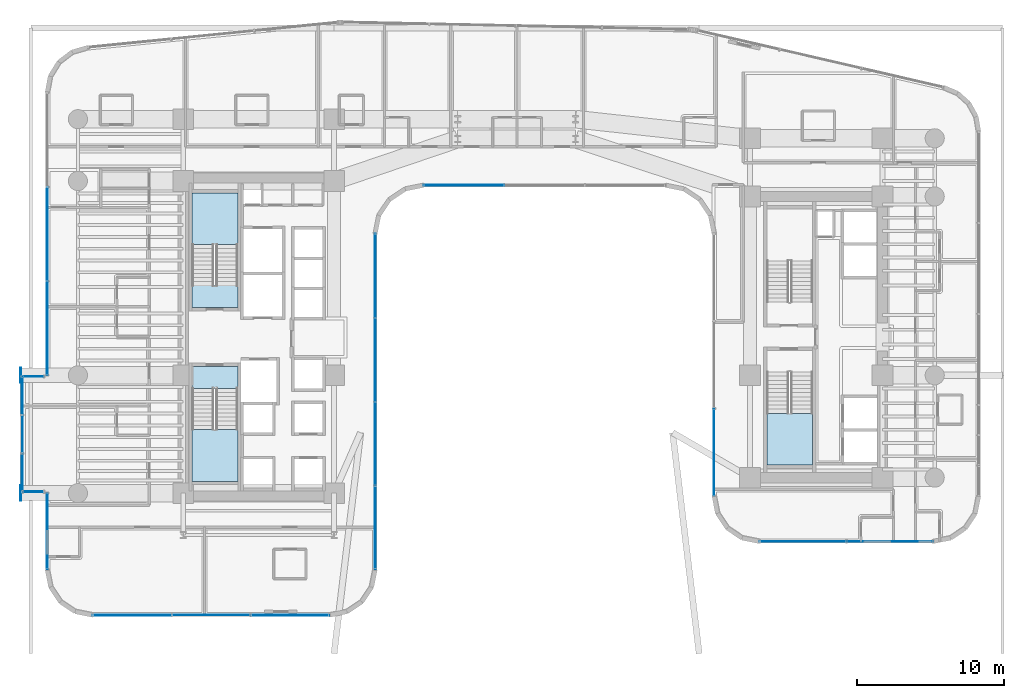
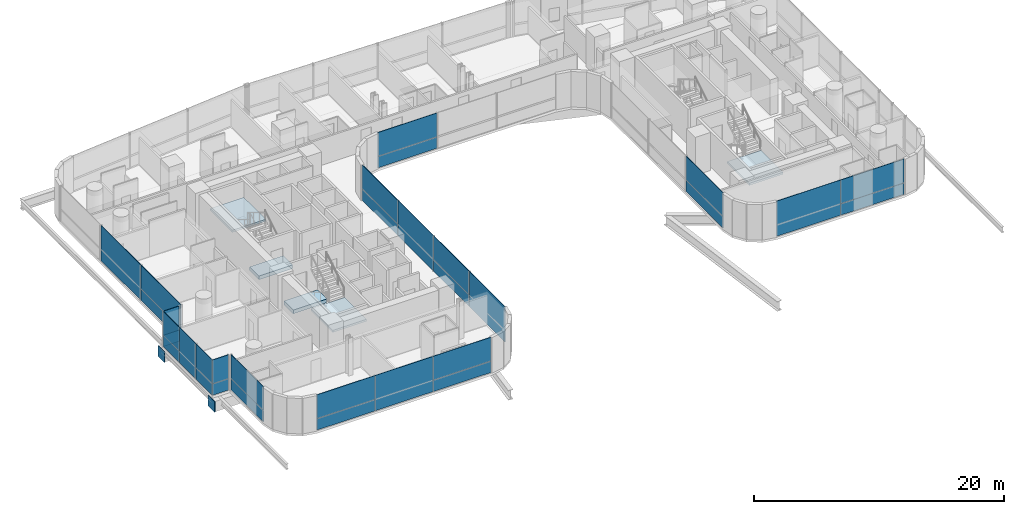
# One storey, part 36 of 50: 34 plates, 5 slabs, 13 elements without a shape of their own.
"""IFC4 building model written with IfcOpenShell, lengths in metres."""

import ifcopenshell
import ifcopenshell.guid

model = None  # the IFC model being written
_history = None  # IfcOwnerHistory: only IFC2X3 demands one
_inside = {}  # id of a spatial element -> (the spatial element, [elements in it])
_under = {}  # id of a project, library or spatial element -> (it, [spatial elements below it])
_declared = {}  # id of a project -> (the project, [libraries it declares])
_typed = {}  # id of a type object -> (the type object, [elements of that type])
_made_of = {}  # id of a material, layer set ... -> (it, [elements and type objects made of it])


def new_model(schema):
    """Start an empty IFC model of exactly this schema.

    Asked for "IFC4X3", IfcOpenShell would pick the latest addendum, in which some entities
    have other attributes; the version numbers below select the first issue.
    IFC2X3 requires an IfcOwnerHistory on every rooted entity: one is made here for all.
    """
    global model, _history
    if schema == "IFC4X3":
        model = ifcopenshell.file(schema_version=(4, 3, 0, 0))
    else:
        model = ifcopenshell.file(schema=schema)
    _inside.clear()
    _under.clear()
    _declared.clear()
    _typed.clear()
    _made_of.clear()
    _history = None
    if model.schema == "IFC2X3":
        org = make("IfcOrganization", Name="unknown")
        user = make(
            "IfcPersonAndOrganization",
            ThePerson=make("IfcPerson", FamilyName="unknown"),
            TheOrganization=org,
        )
        app = make(
            "IfcApplication",
            ApplicationDeveloper=org,
            Version="unknown",
            ApplicationFullName="unknown",
            ApplicationIdentifier="unknown",
        )
        _history = make(
            "IfcOwnerHistory",
            OwningUser=user,
            OwningApplication=app,
            ChangeAction="ADDED",
            CreationDate=0,
        )
    return model


def make(cls, **values):
    """One entity of the class cls with the attributes given. An attribute that is None is left unset."""
    return model.create_entity(
        cls, **{name: value for name, value in values.items() if value is not None}
    )


def rooted(cls, **values):
    """An entity with a GlobalId (a new one), such as an element, a storey or a relation."""
    return make(cls, GlobalId=ifcopenshell.guid.new(), OwnerHistory=_history, **values)


def si_unit(unit_type, name, prefix=None):
    """IfcSIUnit, for example si_unit("LENGTHUNIT", "METRE", prefix="MILLI")."""
    return make("IfcSIUnit", UnitType=unit_type, Prefix=prefix, Name=name)


def assignment(units):
    """IfcUnitAssignment: the units of a project."""
    return None if units is None else make("IfcUnitAssignment", Units=units)


def point(xyz):
    """IfcCartesianPoint."""
    return None if xyz is None else make("IfcCartesianPoint", Coordinates=xyz)


def direction(xyz):
    """IfcDirection."""
    return None if xyz is None else make("IfcDirection", DirectionRatios=xyz)


def frame(location, z_axis=None, x_axis=None):
    """IfcAxis2Placement3D, a coordinate frame: its origin and axes. An axis left out is left unset."""
    return make(
        "IfcAxis2Placement3D",
        Location=point(location),
        Axis=direction(z_axis),
        RefDirection=direction(x_axis),
    )


def frame_2d(location, x_axis=None):
    """IfcAxis2Placement2D, a coordinate frame in the plane: its origin and x axis."""
    return make(
        "IfcAxis2Placement2D", Location=point(location), RefDirection=direction(x_axis)
    )


def origin():
    """The frame at (0, 0, 0) with its axes left unset."""
    return frame((0.0, 0.0, 0.0))


def origin_2d():
    """The frame at (0, 0) in the plane with its x axis left unset."""
    return frame_2d((0.0, 0.0))


def place(relative_to, where):
    """IfcLocalPlacement: puts the frame where relative to a parent placement (None: the world)."""
    return make(
        "IfcLocalPlacement", PlacementRelTo=relative_to, RelativePlacement=where
    )


def context(
    kind, dimensions, precision=None, world=None, true_north=None, identifier=None
):
    """IfcGeometricRepresentationContext, for example the 3D "Model" context."""
    return make(
        "IfcGeometricRepresentationContext",
        ContextIdentifier=identifier,
        ContextType=kind,
        CoordinateSpaceDimension=dimensions,
        Precision=precision,
        WorldCoordinateSystem=world,
        TrueNorth=true_north,
    )


def subcontext(parent, identifier, kind, view, scale=None):
    """IfcGeometricRepresentationSubContext, for example "Body" below "Model"."""
    return make(
        "IfcGeometricRepresentationSubContext",
        ContextIdentifier=identifier,
        ContextType=kind,
        ParentContext=parent,
        TargetScale=scale,
        TargetView=view,
    )


def project(units=None, contexts=None):
    """IfcProject with its units and contexts."""
    return rooted(
        "IfcProject",
        Name="project",
        RepresentationContexts=contexts,
        UnitsInContext=assignment(units),
    )


def spatial(cls, under=None, at=None, **own):
    """A site, building, storey or space (cls), placed at a placement, below another one or the project."""
    s = rooted(cls, ObjectPlacement=at, **own)
    if under is not None:
        _under.setdefault(under.id(), (under, []))[1].append(s)
    return s


def polyline(points):
    """IfcPolyline through the points."""
    return make("IfcPolyline", Points=[point(p) for p in points])


def profile(cls, at=None, kind="AREA", **sizes):
    """A parametric profile (cls). Its sizes go by their IFC names, for example OverallWidth=200.0."""
    return make(cls, ProfileType=kind, Position=at, **sizes)


def rectangle(**sizes):
    """IfcRectangleProfileDef."""
    return profile("IfcRectangleProfileDef", **sizes)


def outline(outer, holes=None, kind="AREA"):
    """IfcArbitraryClosedProfileDef: a profile drawn as a closed curve; with holes, ...WithVoids."""
    if holes is None:
        return make("IfcArbitraryClosedProfileDef", ProfileType=kind, OuterCurve=outer)
    return make(
        "IfcArbitraryProfileDefWithVoids",
        ProfileType=kind,
        OuterCurve=outer,
        InnerCurves=holes,
    )


def extrude(swept, where, along, depth):
    """IfcExtrudedAreaSolid: the profile swept, set in the frame where, extruded along a direction by depth."""
    return make(
        "IfcExtrudedAreaSolid",
        SweptArea=swept,
        Position=where,
        ExtrudedDirection=direction(along),
        Depth=depth,
    )


def shape(context_of_items, identifier, shape_type, items):
    """IfcShapeRepresentation: the items that make up one representation, for example the "Body"."""
    return make(
        "IfcShapeRepresentation",
        ContextOfItems=context_of_items,
        RepresentationIdentifier=identifier,
        RepresentationType=shape_type,
        Items=items,
    )


def source(mapping_origin, context_of_items, identifier, shape_type, items):
    """IfcRepresentationMap: a shape defined once, which mapped items show again and again."""
    return make(
        "IfcRepresentationMap",
        MappingOrigin=mapping_origin,
        MappedRepresentation=shape(context_of_items, identifier, shape_type, items),
    )


def transform(
    local_origin,
    x_axis=None,
    y_axis=None,
    z_axis=None,
    scale=None,
    scale2=None,
    scale3=None,
    uniform=True,
):
    """IfcCartesianTransformationOperator3D, or its non-uniform kind. x_axis, y_axis, z_axis: its Axis1, 2, 3."""
    if uniform:
        return make(
            "IfcCartesianTransformationOperator3D",
            Axis1=direction(x_axis),
            Axis2=direction(y_axis),
            LocalOrigin=point(local_origin),
            Scale=scale,
            Axis3=direction(z_axis),
        )
    return make(
        "IfcCartesianTransformationOperator3DnonUniform",
        Axis1=direction(x_axis),
        Axis2=direction(y_axis),
        LocalOrigin=point(local_origin),
        Scale=scale,
        Axis3=direction(z_axis),
        Scale2=scale2,
        Scale3=scale3,
    )


def mapped(mapping_source, mapping_target):
    """IfcMappedItem: shows the shape of a source again, moved by a transform."""
    return make(
        "IfcMappedItem", MappingSource=mapping_source, MappingTarget=mapping_target
    )


def material(Name=None, Category=None):
    """IfcMaterial."""
    return make("IfcMaterial", Name=Name, Category=Category)


def layer(
    of_material, thickness, ventilated=None, Name=None, Category=None, Priority=None
):
    """IfcMaterialLayer: one layer of a wall or slab, of a material (None: an air gap)."""
    return make(
        "IfcMaterialLayer",
        Material=of_material,
        LayerThickness=thickness,
        IsVentilated=ventilated,
        Name=Name,
        Category=Category,
        Priority=Priority,
    )


def layer_set(layers, Name=None):
    """IfcMaterialLayerSet."""
    return make("IfcMaterialLayerSet", MaterialLayers=layers, LayerSetName=Name)


def made_of(thing, what):
    """Note that an element or type object is made of a material, layer set ...; save() writes the relation."""
    if what is not None:
        _made_of.setdefault(what.id(), (what, []))[1].append(thing)
    return thing


def type_object(cls, material=None, **own):
    """A type object (cls), such as IfcWallType, which elements share."""
    return made_of(rooted(cls, **own), material)


def element(
    cls,
    number,
    at=None,
    inside=None,
    cuts=None,
    type_object=None,
    material=None,
    context=None,
    identifier="Body",
    shape_type=None,
    held_by="IfcProductDefinitionShape",
    body=None,
    shapes=None,
    **own,
):
    """One element of the class cls, such as IfcWall. Its Tag is "e" and its number.

    at: its placement. inside: the storey or other place that contains it. cuts: it is an
    opening in that element (IfcRelVoidsElement). A single representation is given by context,
    identifier, shape_type and body (its items); several are given by shapes. held_by: the class
    of the entity that holds the representations. save() writes the other relations.
    """
    e = rooted(cls, Tag="e%d" % number, ObjectPlacement=at, **own)
    if body is not None:
        shapes = [shape(context, identifier, shape_type, body)]
    if shapes is not None:
        e.Representation = make(held_by, Representations=shapes)
    if inside is not None:
        _inside.setdefault(inside.id(), (inside, []))[1].append(e)
    if cuts is not None:
        rooted(
            "IfcRelVoidsElement", RelatingBuildingElement=cuts, RelatedOpeningElement=e
        )
    if type_object is not None:
        _typed.setdefault(type_object.id(), (type_object, []))[1].append(e)
    return made_of(e, material)


def aggregate(whole, parts):
    """IfcRelAggregates: a whole, such as a stair, and the parts it consists of."""
    return rooted("IfcRelAggregates", RelatingObject=whole, RelatedObjects=parts)


def save(model, path):
    """Write the relations noted so far, then the file.

    IfcRelAggregates (storeys below a building ...), IfcRelContainedInSpatialStructure (elements
    in a storey), IfcRelDefinesByType, IfcRelAssociatesMaterial and IfcRelDeclares: one each for
    every whole, place, type object, material and project.
    """
    for whole, parts in _under.values():
        aggregate(whole, parts)
    for where, things in _inside.values():
        rooted(
            "IfcRelContainedInSpatialStructure",
            RelatedElements=things,
            RelatingStructure=where,
        )
    for kind, things in _typed.values():
        rooted("IfcRelDefinesByType", RelatedObjects=things, RelatingType=kind)
    for what, things in _made_of.values():
        rooted("IfcRelAssociatesMaterial", RelatedObjects=things, RelatingMaterial=what)
    for by, libraries in _declared.values():
        rooted("IfcRelDeclares", RelatingContext=by, RelatedDefinitions=libraries)
    model.write(path)


model = new_model("IFC4")

# Units and contexts
model_context = context("Model", 3, precision=1e-05, world=origin(), true_north=direction((0.0, 1.0)))
body_context = subcontext(model_context, "Body", "Model", "MODEL_VIEW")
ifc_project = project(units=[si_unit("LENGTHUNIT", "METRE"), si_unit("AREAUNIT", "SQUARE_METRE"), si_unit("VOLUMEUNIT", "CUBIC_METRE"), si_unit("PLANEANGLEUNIT", "RADIAN"), si_unit("MASSUNIT", "GRAM", prefix="KILO")], contexts=[model_context])

# Site, building, storey
site_placement = place(None, origin())
site = spatial("IfcSite", under=ifc_project, at=site_placement, CompositionType="ELEMENT")
building_placement = place(site_placement, origin())
building = spatial("IfcBuilding", under=site, at=building_placement, Name="Valdorenza Pilgrim Sanctuary Tower", CompositionType="ELEMENT")
storey_placement = place(building_placement, frame((0.0, 0.0, 26.0)))
storey = spatial("IfcBuildingStorey", under=building, at=storey_placement, Name="L05", CompositionType="ELEMENT", Elevation=26.0)

# Stair, slab
ifc_material_1 = material(Name="Concrete C40/50", Category="concrete")
stair_type = type_object("IfcStairType", Name="STR-DOG-CORE", PredefinedType="HALF_TURN_STAIR", material=ifc_material_1)
stair_1_placement = place(storey_placement, origin())
stair_1 = element("IfcStair", 1, at=stair_1_placement, inside=storey, type_object=stair_type, Name="L05 ST-A1", PredefinedType="HALF_TURN_STAIR")
ifc_layer_1 = layer(ifc_material_1, 0.199951171875, Name="Concrete C40/50")
ifc_layer_set_1 = layer_set([ifc_layer_1], Name="Concrete C40/50")
slab_type_1 = type_object("IfcSlabType", Name="SLAB-STL-200", PredefinedType="LANDING", material=ifc_layer_set_1)
slab_1_placement = place(storey_placement, frame((0.0, 0.0, 1.64990234375)))
slab_1 = element("IfcSlab", 2, at=slab_1_placement, type_object=slab_type_1, Name="ST-A1 landing 1", PredefinedType="LANDING", context=body_context, shape_type="SweptSolid", body=[
    extrude(outline(polyline([(-18.93994140625, 6.280029296875), (-18.93994140625, 9.800048828125), (-22.050048828125, 9.800048828125), (-22.050048828125, 6.280029296875), (-18.93994140625, 6.280029296875)])), origin(), (0.0, 0.0, 1.0), 0.2001953125),
])
aggregate(stair_1, [slab_1])

stair_2_placement = place(storey_placement, origin())
stair_2 = element("IfcStair", 3, at=stair_2_placement, inside=storey, type_object=stair_type, Name="L05 ST-A2", PredefinedType="HALF_TURN_STAIR")
slab_2_placement = place(storey_placement, frame((0.0, 0.0, 1.64990234375)))
slab_2 = element("IfcSlab", 4, at=slab_2_placement, type_object=slab_type_1, Name="ST-A2 landing 1", PredefinedType="LANDING", context=body_context, shape_type="SweptSolid", body=[
    extrude(outline(polyline([(-22.050048828125, -6.280029296875), (-22.050048828125, -9.800048828125), (-18.93994140625, -9.800048828125), (-18.93994140625, -6.280029296875), (-22.050048828125, -6.280029296875)])), origin(), (0.0, 0.0, 1.0), 0.2001953125),
])
aggregate(stair_2, [slab_2])

stair_3_placement = place(storey_placement, origin())
stair_3 = element("IfcStair", 5, at=stair_3_placement, inside=storey, type_object=stair_type, Name="L05 ST-B2", PredefinedType="HALF_TURN_STAIR")
slab_3_placement = place(storey_placement, frame((0.0, 0.0, 1.64990234375)))
slab_3 = element("IfcSlab", 6, at=slab_3_placement, type_object=slab_type_1, Name="ST-B2 landing 1", PredefinedType="LANDING", context=body_context, shape_type="SweptSolid", body=[
    extrude(outline(polyline([(17.0, -5.179931640625), (17.0, -8.699951171875), (20.110107421875, -8.699951171875), (20.110107421875, -5.179931640625), (17.0, -5.179931640625)])), origin(), (0.0, 0.0, 1.0), 0.2001953125),
])
aggregate(stair_3, [slab_3])

# Slabs
ifc_material_2 = material(Name="Concrete C50/60", Category="concrete")
ifc_layer_2 = layer(ifc_material_2, 0.39990234375, Name="Concrete C50/60")
ifc_layer_set_2 = layer_set([ifc_layer_2], Name="Concrete C50/60")
slab_type_2 = type_object("IfcSlabType", Name="SLAB-TRF-400", PredefinedType="FLOOR", material=ifc_layer_set_2)
slab_4_placement = place(storey_placement, frame((0.0, 0.0, -0.360107421875)))
element("IfcSlab", 7, at=slab_4_placement, inside=storey, type_object=slab_type_2, Name="L05 ST-A1 Structural Stair Landing Bearing Slab", PredefinedType="FLOOR", context=body_context, shape_type="SweptSolid", body=[
    extrude(outline(polyline([(-22.050048828125, 2.0), (-18.93994140625, 2.0), (-18.93994140625, 3.485107421875), (-22.050048828125, 3.485107421875), (-22.050048828125, 2.0)])), origin(), (0.0, 0.0, 1.0), 0.360107421875),
])
slab_5_placement = place(storey_placement, frame((0.0, 0.0, -0.360107421875)))
element("IfcSlab", 8, at=slab_5_placement, inside=storey, type_object=slab_type_2, Name="L05 ST-A2 Structural Stair Landing Bearing Slab", PredefinedType="FLOOR", context=body_context, shape_type="SweptSolid", body=[
    extrude(outline(polyline([(-22.050048828125, -3.485107421875), (-18.93994140625, -3.485107421875), (-18.93994140625, -2.0), (-22.050048828125, -2.0), (-22.050048828125, -3.485107421875)])), origin(), (0.0, 0.0, 1.0), 0.360107421875),
])

# Plates
ifc_material_3 = material(Name="Steel ASTM A572 Grade 42", Category="steel")
ifc_layer_3 = layer(ifc_material_3, 0.06005859375, Name="Steel ASTM A572 Grade 42")
ifc_layer_set_3 = layer_set([ifc_layer_3], Name="Steel ASTM A572 Grade 42")
plate_type_1 = type_object("IfcPlateType", Name="PLT-CAP-60", PredefinedType="SHEET", material=ifc_layer_set_3)
shared_shape_1 = source(origin(), body_context, "Body", "SweptSolid", [
    extrude(rectangle(XDim=0.06005859375, YDim=1.0400390625, at=origin_2d()), origin(), (0.0, 0.0, 1.0), 1.0400390625),
])
for number, where, z_axis, x_axis, name in (
    (9, (-33.679931640625, -2.60009765625, -1.260009765625), (0.0, 0.0, 1.0), (1.0, 0.0, 0.0), "L05 BOX-WA-L05 Cantilever Tip End Cap N"),
    (10, (-33.679931640625, -10.60009765625, -1.260009765625), (0.0, 0.0, 1.0), (1.0, 0.0, 0.0), "L05 BOX-WA-L05 Cantilever Tip End Cap S"),
):
    element("IfcPlate", number, at=place(storey_placement, frame(where, z_axis=z_axis, x_axis=x_axis)), inside=storey, type_object=plate_type_1, Name=name, PredefinedType="SHEET", context=body_context, shape_type="MappedRepresentation", body=[
        mapped(shared_shape_1, transform((0.0, 0.0, 0.0), x_axis=(1.0, 0.0, 0.0), y_axis=(0.0, 1.0, 0.0), z_axis=(0.0, 0.0, 1.0), scale=1.0)),
    ])

# Curtain wall, plates
ifc_material_4 = material(Name="Curtain-wall IGU glazing", Category="glass")
curtain_wall_type_1 = type_object("IfcCurtainWallType", Name="CW-SYS-02", PredefinedType="NOTDEFINED", material=ifc_material_4)
curtain_wall_1_placement = place(storey_placement, origin())
curtain_wall_1 = element("IfcCurtainWall", 11, at=curtain_wall_1_placement, inside=storey, type_object=curtain_wall_type_1, Name="L05 Curtain Wall CW-L05-1-1S1", PredefinedType="NOTDEFINED")
ifc_material_5 = material(Name="Honed travertine limestone", Category="masonry")
ifc_layer_4 = layer(ifc_material_5, 0.050048828125, Name="Honed travertine limestone")
ifc_layer_set_4 = layer_set([ifc_layer_4], Name="Honed travertine limestone")
plate_type_2 = type_object("IfcPlateType", Name="CW-SPN-TRV", PredefinedType="USERDEFINED", material=ifc_layer_set_4)
shared_shape_2 = source(origin(), body_context, "Body", "SweptSolid", [
    extrude(rectangle(XDim=5.169189453125, YDim=0.06005859375, at=origin_2d()), origin(), (0.0, 0.0, 1.0), 1.10009765625),
])
plate_1_placement = place(storey_placement, frame((-31.889892578125, -13.194580078125, 0.010009765625), z_axis=(0.0, 0.0, 1.0), x_axis=(0.0, 1.0, 0.0)))
plate_1 = element("IfcPlate", 12, at=plate_1_placement, type_object=plate_type_2, Name="CW-L05-1-1S1 Travertine Spandrel 1", ObjectType="SPANDREL", PredefinedType="USERDEFINED", context=body_context, shape_type="MappedRepresentation", body=[
    mapped(shared_shape_2, transform((0.0, 0.0, 0.0), x_axis=(1.0, 0.0, 0.0), y_axis=(0.0, 1.0, 0.0), z_axis=(0.0, 0.0, 1.0), scale=1.0)),
])
ifc_material_6 = material(Name="Ceramic-fritted low-E IGU glazing", Category="glass")
ifc_layer_5 = layer(ifc_material_6, 0.035888671875, Name="Ceramic-fritted low-E IGU glazing")
ifc_layer_set_5 = layer_set([ifc_layer_5], Name="Ceramic-fritted low-E IGU glazing")
plate_type_3 = type_object("IfcPlateType", Name="CW-GLZ-IGU", PredefinedType="USERDEFINED", material=ifc_layer_set_5)
shared_shape_3 = source(origin(), body_context, "Body", "SweptSolid", [
    extrude(rectangle(XDim=5.169189453125, YDim=0.050048828125, at=origin_2d()), origin(), (0.0, 0.0, 1.0), 2.320068359375),
])
plate_2_placement = place(storey_placement, frame((-31.889892578125, -13.194580078125, 1.1298828125), z_axis=(0.0, 0.0, 1.0), x_axis=(0.0, 1.0, 0.0)))
plate_2 = element("IfcPlate", 13, at=plate_2_placement, type_object=plate_type_3, Name="CW-L05-1-1S1 Facade Panel 1", ObjectType="GLAZING", PredefinedType="USERDEFINED", context=body_context, shape_type="MappedRepresentation", body=[
    mapped(shared_shape_3, transform((0.0, 0.0, 0.0), x_axis=(1.0, 0.0, 0.0), y_axis=(0.0, 1.0, 0.0), z_axis=(0.0, 0.0, 1.0), scale=1.0)),
])
aggregate(curtain_wall_1, [plate_1, plate_2])

curtain_wall_2_placement = place(storey_placement, origin())
curtain_wall_2 = element("IfcCurtainWall", 14, at=curtain_wall_2_placement, inside=storey, type_object=curtain_wall_type_1, Name="L05 Curtain Wall CW-L05-1-1S2", PredefinedType="NOTDEFINED")
shared_shape_4 = source(origin(), body_context, "Body", "SweptSolid", [
    extrude(rectangle(XDim=6.3779296875, YDim=0.06005859375, at=origin_2d()), origin(), (0.0, 0.0, 1.0), 1.10009765625),
])
plate_3_placement = place(storey_placement, frame((-31.889892578125, 0.59912109375, 0.010009765625), z_axis=(0.0, 0.0, 1.0), x_axis=(0.0, 1.0, 0.0)))
plate_3 = element("IfcPlate", 15, at=plate_3_placement, type_object=plate_type_2, Name="CW-L05-1-1S2 Travertine Spandrel 1", ObjectType="SPANDREL", PredefinedType="USERDEFINED", context=body_context, shape_type="MappedRepresentation", body=[
    mapped(shared_shape_4, transform((0.0, 0.0, 0.0), x_axis=(1.0, 0.0, 0.0), y_axis=(0.0, 1.0, 0.0), z_axis=(0.0, 0.0, 1.0), scale=1.0)),
])
shared_shape_5 = source(origin(), body_context, "Body", "SweptSolid", [
    extrude(rectangle(XDim=6.3779296875, YDim=0.050048828125, at=origin_2d()), origin(), (0.0, 0.0, 1.0), 2.320068359375),
])
plate_4_placement = place(storey_placement, frame((-31.889892578125, 0.59912109375, 1.1298828125), z_axis=(0.0, 0.0, 1.0), x_axis=(0.0, 1.0, 0.0)))
plate_4 = element("IfcPlate", 16, at=plate_4_placement, type_object=plate_type_3, Name="CW-L05-1-1S2 Facade Panel 1", ObjectType="GLAZING", PredefinedType="USERDEFINED", context=body_context, shape_type="MappedRepresentation", body=[
    mapped(shared_shape_5, transform((0.0, 0.0, 0.0), x_axis=(1.0, 0.0, 0.0), y_axis=(0.0, 1.0, 0.0), z_axis=(0.0, 0.0, 1.0), scale=1.0)),
])
shared_shape_6 = source(origin(), body_context, "Body", "SweptSolid", [
    extrude(rectangle(XDim=6.3779296875, YDim=0.050048828125, at=origin_2d()), origin(), (0.0, 0.0, 1.0), 3.43994140625),
])
plate_5_placement = place(storey_placement, frame((-31.889892578125, 6.9970703125, 0.010009765625), z_axis=(0.0, 0.0, 1.0), x_axis=(0.0, 1.0, 0.0)))
plate_5 = element("IfcPlate", 17, at=plate_5_placement, type_object=plate_type_3, Name="CW-L05-1-1S2 Full-Height Facade Panel 2", ObjectType="GLAZING", PredefinedType="USERDEFINED", context=body_context, shape_type="MappedRepresentation", body=[
    mapped(shared_shape_6, transform((0.0, 0.0, 0.0), x_axis=(1.0, 0.0, 0.0), y_axis=(0.0, 1.0, 0.0), z_axis=(0.0, 0.0, 1.0), scale=1.0)),
])
aggregate(curtain_wall_2, [plate_3, plate_4, plate_5])

curtain_wall_type_2 = type_object("IfcCurtainWallType", Name="CW-SYS-03", PredefinedType="NOTDEFINED", material=ifc_material_4)
curtain_wall_3_placement = place(storey_placement, origin())
curtain_wall_3 = element("IfcCurtainWall", 18, at=curtain_wall_3_placement, inside=storey, type_object=curtain_wall_type_2, Name="L05 Curtain Wall CW-L05-1-26", PredefinedType="NOTDEFINED")
shared_shape_7 = source(origin(), body_context, "Body", "SweptSolid", [
    extrude(rectangle(XDim=5.869140625, YDim=0.06005859375, at=origin_2d()), origin(), (0.0, 0.0, 1.0), 1.10009765625),
])
plate_6_placement = place(storey_placement, frame((25.344482421875, -13.889892578125, 0.010009765625), z_axis=(0.0, 0.0, 1.0), x_axis=(-1.0, 0.0, 0.0)))
plate_6 = element("IfcPlate", 19, at=plate_6_placement, type_object=plate_type_2, Name="CW-L05-1-26 Travertine Spandrel 1", ObjectType="SPANDREL", PredefinedType="USERDEFINED", context=body_context, shape_type="MappedRepresentation", body=[
    mapped(shared_shape_7, transform((0.0, 0.0, 0.0), x_axis=(1.0, 0.0, 0.0), y_axis=(0.0, 1.0, 0.0), z_axis=(0.0, 0.0, 1.0), scale=1.0)),
])
shared_shape_8 = source(origin(), body_context, "Body", "SweptSolid", [
    extrude(rectangle(XDim=5.869140625, YDim=0.050048828125, at=origin_2d()), origin(), (0.0, 0.0, 1.0), 2.320068359375),
])
plate_7_placement = place(storey_placement, frame((25.344482421875, -13.889892578125, 1.1298828125), z_axis=(0.0, 0.0, 1.0), x_axis=(-1.0, 0.0, 0.0)))
plate_7 = element("IfcPlate", 20, at=plate_7_placement, type_object=plate_type_3, Name="CW-L05-1-26 Facade Panel 1", ObjectType="GLAZING", PredefinedType="USERDEFINED", context=body_context, shape_type="MappedRepresentation", body=[
    mapped(shared_shape_8, transform((0.0, 0.0, 0.0), x_axis=(1.0, 0.0, 0.0), y_axis=(0.0, 1.0, 0.0), z_axis=(0.0, 0.0, 1.0), scale=1.0)),
])
shared_shape_9 = source(origin(), body_context, "Body", "SweptSolid", [
    extrude(rectangle(XDim=5.869140625, YDim=0.050048828125, at=origin_2d()), origin(), (0.0, 0.0, 1.0), 3.43994140625),
])
plate_8_placement = place(storey_placement, frame((19.455322265625, -13.889892578125, 0.010009765625), z_axis=(0.0, 0.0, 1.0), x_axis=(-1.0, 0.0, 0.0)))
plate_8 = element("IfcPlate", 21, at=plate_8_placement, type_object=plate_type_3, Name="CW-L05-1-26 Full-Height Facade Panel 2", ObjectType="GLAZING", PredefinedType="USERDEFINED", context=body_context, shape_type="MappedRepresentation", body=[
    mapped(shared_shape_9, transform((0.0, 0.0, 0.0), x_axis=(1.0, 0.0, 0.0), y_axis=(0.0, 1.0, 0.0), z_axis=(0.0, 0.0, 1.0), scale=1.0)),
])
aggregate(curtain_wall_3, [plate_6, plate_7, plate_8])

curtain_wall_4_placement = place(storey_placement, origin())
curtain_wall_4 = element("IfcCurtainWall", 22, at=curtain_wall_4_placement, inside=storey, type_object=curtain_wall_type_2, Name="L05 Curtain Wall CW-L05-1-31", PredefinedType="NOTDEFINED")
shared_shape_10 = source(origin(), body_context, "Body", "SweptSolid", [
    extrude(rectangle(XDim=5.913330078125, YDim=0.06005859375, at=origin_2d()), origin(), (0.0, 0.0, 1.0), 1.10009765625),
])
plate_9_placement = place(storey_placement, frame((13.409912109375, -7.822509765625, 0.010009765625), z_axis=(0.0, 0.0, 1.0), x_axis=(0.0, 1.0, 0.0)))
plate_9 = element("IfcPlate", 23, at=plate_9_placement, type_object=plate_type_2, Name="CW-L05-1-31 Travertine Spandrel 1", ObjectType="SPANDREL", PredefinedType="USERDEFINED", context=body_context, shape_type="MappedRepresentation", body=[
    mapped(shared_shape_10, transform((0.0, 0.0, 0.0), x_axis=(1.0, 0.0, 0.0), y_axis=(0.0, 1.0, 0.0), z_axis=(0.0, 0.0, 1.0), scale=1.0)),
])
shared_shape_11 = source(origin(), body_context, "Body", "SweptSolid", [
    extrude(rectangle(XDim=5.913330078125, YDim=0.050048828125, at=origin_2d()), origin(), (0.0, 0.0, 1.0), 2.320068359375),
])
plate_10_placement = place(storey_placement, frame((13.409912109375, -7.822509765625, 1.1298828125), z_axis=(0.0, 0.0, 1.0), x_axis=(0.0, 1.0, 0.0)))
plate_10 = element("IfcPlate", 24, at=plate_10_placement, type_object=plate_type_3, Name="CW-L05-1-31 Facade Panel 1", ObjectType="GLAZING", PredefinedType="USERDEFINED", context=body_context, shape_type="MappedRepresentation", body=[
    mapped(shared_shape_11, transform((0.0, 0.0, 0.0), x_axis=(1.0, 0.0, 0.0), y_axis=(0.0, 1.0, 0.0), z_axis=(0.0, 0.0, 1.0), scale=1.0)),
])
aggregate(curtain_wall_4, [plate_9, plate_10])

curtain_wall_5_placement = place(storey_placement, origin())
curtain_wall_5 = element("IfcCurtainWall", 25, at=curtain_wall_5_placement, inside=storey, type_object=curtain_wall_type_1, Name="L05 Curtain Wall CW-L05-1-36", PredefinedType="NOTDEFINED")
shared_shape_12 = source(origin(), body_context, "Body", "SweptSolid", [
    extrude(rectangle(XDim=5.453857421875, YDim=0.06005859375, at=origin_2d()), origin(), (0.0, 0.0, 1.0), 1.10009765625),
])
plate_11_placement = place(storey_placement, frame((-3.573974609375, 10.31005859375, 0.010009765625), z_axis=(0.0, 0.0, 1.0), x_axis=(-1.0, 0.0, 0.0)))
plate_11 = element("IfcPlate", 26, at=plate_11_placement, type_object=plate_type_2, Name="CW-L05-1-36 Travertine Spandrel 3", ObjectType="SPANDREL", PredefinedType="USERDEFINED", context=body_context, shape_type="MappedRepresentation", body=[
    mapped(shared_shape_12, transform((0.0, 0.0, 0.0), x_axis=(1.0, 0.0, 0.0), y_axis=(0.0, 1.0, 0.0), z_axis=(0.0, 0.0, 1.0), scale=1.0)),
])
shared_shape_13 = source(origin(), body_context, "Body", "SweptSolid", [
    extrude(rectangle(XDim=5.453857421875, YDim=0.050048828125, at=origin_2d()), origin(), (0.0, 0.0, 1.0), 2.320068359375),
])
plate_12_placement = place(storey_placement, frame((-3.573974609375, 10.31005859375, 1.1298828125), z_axis=(0.0, 0.0, 1.0), x_axis=(-1.0, 0.0, 0.0)))
plate_12 = element("IfcPlate", 27, at=plate_12_placement, type_object=plate_type_3, Name="CW-L05-1-36 Facade Panel 3", ObjectType="GLAZING", PredefinedType="USERDEFINED", context=body_context, shape_type="MappedRepresentation", body=[
    mapped(shared_shape_13, transform((0.0, 0.0, 0.0), x_axis=(1.0, 0.0, 0.0), y_axis=(0.0, 1.0, 0.0), z_axis=(0.0, 0.0, 1.0), scale=1.0)),
])
aggregate(curtain_wall_5, [plate_11, plate_12])

curtain_wall_6_placement = place(storey_placement, origin())
curtain_wall_6 = element("IfcCurtainWall", 28, at=curtain_wall_6_placement, inside=storey, type_object=curtain_wall_type_1, Name="L05 Curtain Wall CW-L05-1-41", PredefinedType="NOTDEFINED")
shared_shape_14 = source(origin(), body_context, "Body", "SweptSolid", [
    extrude(rectangle(XDim=5.679931640625, YDim=0.06005859375, at=origin_2d()), origin(), (0.0, 0.0, 1.0), 1.10009765625),
])
plate_13_placement = place(storey_placement, frame((-9.610107421875, 4.160888671875, 0.010009765625), z_axis=(0.0, 0.0, 1.0), x_axis=(0.0, -1.0, 0.0)))
plate_13 = element("IfcPlate", 29, at=plate_13_placement, type_object=plate_type_2, Name="CW-L05-1-41 Travertine Spandrel 1", ObjectType="SPANDREL", PredefinedType="USERDEFINED", context=body_context, shape_type="MappedRepresentation", body=[
    mapped(shared_shape_14, transform((0.0, 0.0, 0.0), x_axis=(1.0, 0.0, 0.0), y_axis=(0.0, 1.0, 0.0), z_axis=(0.0, 0.0, 1.0), scale=1.0)),
])
plate_14_placement = place(storey_placement, frame((-9.610107421875, -7.2392578125, 0.010009765625), z_axis=(0.0, 0.0, 1.0), x_axis=(0.0, -1.0, 0.0)))
plate_14 = element("IfcPlate", 30, at=plate_14_placement, type_object=plate_type_2, Name="CW-L05-1-41 Travertine Spandrel 3", ObjectType="SPANDREL", PredefinedType="USERDEFINED", context=body_context, shape_type="MappedRepresentation", body=[
    mapped(shared_shape_14, transform((0.0, 0.0, 0.0), x_axis=(1.0, 0.0, 0.0), y_axis=(0.0, 1.0, 0.0), z_axis=(0.0, 0.0, 1.0), scale=1.0)),
])
shared_shape_15 = source(origin(), body_context, "Body", "SweptSolid", [
    extrude(rectangle(XDim=5.679931640625, YDim=0.050048828125, at=origin_2d()), origin(), (0.0, 0.0, 1.0), 2.320068359375),
])
plate_15_placement = place(storey_placement, frame((-9.610107421875, 4.160888671875, 1.1298828125), z_axis=(0.0, 0.0, 1.0), x_axis=(0.0, -1.0, 0.0)))
plate_15 = element("IfcPlate", 31, at=plate_15_placement, type_object=plate_type_3, Name="CW-L05-1-41 Facade Panel 1", ObjectType="GLAZING", PredefinedType="USERDEFINED", context=body_context, shape_type="MappedRepresentation", body=[
    mapped(shared_shape_15, transform((0.0, 0.0, 0.0), x_axis=(1.0, 0.0, 0.0), y_axis=(0.0, 1.0, 0.0), z_axis=(0.0, 0.0, 1.0), scale=1.0)),
])
plate_16_placement = place(storey_placement, frame((-9.610107421875, -7.2392578125, 1.1298828125), z_axis=(0.0, 0.0, 1.0), x_axis=(0.0, -1.0, 0.0)))
plate_16 = element("IfcPlate", 32, at=plate_16_placement, type_object=plate_type_3, Name="CW-L05-1-41 Facade Panel 3", ObjectType="GLAZING", PredefinedType="USERDEFINED", context=body_context, shape_type="MappedRepresentation", body=[
    mapped(shared_shape_15, transform((0.0, 0.0, 0.0), x_axis=(1.0, 0.0, 0.0), y_axis=(0.0, 1.0, 0.0), z_axis=(0.0, 0.0, 1.0), scale=1.0)),
])
shared_shape_16 = source(origin(), body_context, "Body", "SweptSolid", [
    extrude(rectangle(XDim=5.679931640625, YDim=0.050048828125, at=origin_2d()), origin(), (0.0, 0.0, 1.0), 3.43994140625),
])
plate_17_placement = place(storey_placement, frame((-9.610107421875, -1.539306640625, 0.010009765625), z_axis=(0.0, 0.0, 1.0), x_axis=(0.0, -1.0, 0.0)))
plate_17 = element("IfcPlate", 33, at=plate_17_placement, type_object=plate_type_3, Name="CW-L05-1-41 Full-Height Facade Panel 2", ObjectType="GLAZING", PredefinedType="USERDEFINED", context=body_context, shape_type="MappedRepresentation", body=[
    mapped(shared_shape_16, transform((0.0, 0.0, 0.0), x_axis=(1.0, 0.0, 0.0), y_axis=(0.0, 1.0, 0.0), z_axis=(0.0, 0.0, 1.0), scale=1.0)),
])
plate_18_placement = place(storey_placement, frame((-9.610107421875, -12.939208984375, 0.010009765625), z_axis=(0.0, 0.0, 1.0), x_axis=(0.0, -1.0, 0.0)))
plate_18 = element("IfcPlate", 34, at=plate_18_placement, type_object=plate_type_3, Name="CW-L05-1-41 Full-Height Facade Panel 4", ObjectType="GLAZING", PredefinedType="USERDEFINED", context=body_context, shape_type="MappedRepresentation", body=[
    mapped(shared_shape_16, transform((0.0, 0.0, 0.0), x_axis=(1.0, 0.0, 0.0), y_axis=(0.0, 1.0, 0.0), z_axis=(0.0, 0.0, 1.0), scale=1.0)),
])
aggregate(curtain_wall_6, [plate_13, plate_15, plate_17, plate_14, plate_16, plate_18])

curtain_wall_7_placement = place(storey_placement, origin())
curtain_wall_7 = element("IfcCurtainWall", 35, at=curtain_wall_7_placement, inside=storey, type_object=curtain_wall_type_1, Name="L05 Curtain Wall CW-L05-1-46", PredefinedType="NOTDEFINED")
shared_shape_17 = source(origin(), body_context, "Body", "SweptSolid", [
    extrude(rectangle(XDim=5.339599609375, YDim=0.06005859375, at=origin_2d()), origin(), (0.0, 0.0, 1.0), 1.10009765625),
])
plate_19_placement = place(storey_placement, frame((-15.390380859375, -18.889892578125, 0.010009765625), z_axis=(0.0, 0.0, 1.0), x_axis=(-1.0, 0.0, 0.0)))
plate_19 = element("IfcPlate", 36, at=plate_19_placement, type_object=plate_type_2, Name="CW-L05-1-46 Travertine Spandrel 1", ObjectType="SPANDREL", PredefinedType="USERDEFINED", context=body_context, shape_type="MappedRepresentation", body=[
    mapped(shared_shape_17, transform((0.0, 0.0, 0.0), x_axis=(1.0, 0.0, 0.0), y_axis=(0.0, 1.0, 0.0), z_axis=(0.0, 0.0, 1.0), scale=1.0)),
])
plate_20_placement = place(storey_placement, frame((-26.109619140625, -18.889892578125, 0.010009765625), z_axis=(0.0, 0.0, 1.0), x_axis=(-1.0, 0.0, 0.0)))
plate_20 = element("IfcPlate", 37, at=plate_20_placement, type_object=plate_type_2, Name="CW-L05-1-46 Travertine Spandrel 3", ObjectType="SPANDREL", PredefinedType="USERDEFINED", context=body_context, shape_type="MappedRepresentation", body=[
    mapped(shared_shape_17, transform((0.0, 0.0, 0.0), x_axis=(1.0, 0.0, 0.0), y_axis=(0.0, 1.0, 0.0), z_axis=(0.0, 0.0, 1.0), scale=1.0)),
])
shared_shape_18 = source(origin(), body_context, "Body", "SweptSolid", [
    extrude(rectangle(XDim=5.339599609375, YDim=0.050048828125, at=origin_2d()), origin(), (0.0, 0.0, 1.0), 2.320068359375),
])
plate_21_placement = place(storey_placement, frame((-15.390380859375, -18.889892578125, 1.1298828125), z_axis=(0.0, 0.0, 1.0), x_axis=(-1.0, 0.0, 0.0)))
plate_21 = element("IfcPlate", 38, at=plate_21_placement, type_object=plate_type_3, Name="CW-L05-1-46 Facade Panel 1", ObjectType="GLAZING", PredefinedType="USERDEFINED", context=body_context, shape_type="MappedRepresentation", body=[
    mapped(shared_shape_18, transform((0.0, 0.0, 0.0), x_axis=(1.0, 0.0, 0.0), y_axis=(0.0, 1.0, 0.0), z_axis=(0.0, 0.0, 1.0), scale=1.0)),
])
plate_22_placement = place(storey_placement, frame((-26.109619140625, -18.889892578125, 1.1298828125), z_axis=(0.0, 0.0, 1.0), x_axis=(-1.0, 0.0, 0.0)))
plate_22 = element("IfcPlate", 39, at=plate_22_placement, type_object=plate_type_3, Name="CW-L05-1-46 Facade Panel 3", ObjectType="GLAZING", PredefinedType="USERDEFINED", context=body_context, shape_type="MappedRepresentation", body=[
    mapped(shared_shape_18, transform((0.0, 0.0, 0.0), x_axis=(1.0, 0.0, 0.0), y_axis=(0.0, 1.0, 0.0), z_axis=(0.0, 0.0, 1.0), scale=1.0)),
])
shared_shape_19 = source(origin(), body_context, "Body", "SweptSolid", [
    extrude(rectangle(XDim=5.339599609375, YDim=0.050048828125, at=origin_2d()), origin(), (0.0, 0.0, 1.0), 3.43994140625),
])
plate_23_placement = place(storey_placement, frame((-20.75, -18.889892578125, 0.010009765625), z_axis=(0.0, 0.0, 1.0), x_axis=(-1.0, 0.0, 0.0)))
plate_23 = element("IfcPlate", 40, at=plate_23_placement, type_object=plate_type_3, Name="CW-L05-1-46 Full-Height Facade Panel 2", ObjectType="GLAZING", PredefinedType="USERDEFINED", context=body_context, shape_type="MappedRepresentation", body=[
    mapped(shared_shape_19, transform((0.0, 0.0, 0.0), x_axis=(1.0, 0.0, 0.0), y_axis=(0.0, 1.0, 0.0), z_axis=(0.0, 0.0, 1.0), scale=1.0)),
])
aggregate(curtain_wall_7, [plate_19, plate_21, plate_23, plate_20, plate_22])

# Curtain wall, plate
curtain_wall_8_placement = place(storey_placement, origin())
curtain_wall_8 = element("IfcCurtainWall", 41, at=curtain_wall_8_placement, inside=storey, type_object=curtain_wall_type_1, Name="L05 Curtain Wall CW-L05-BOX-WA-L05-S", PredefinedType="NOTDEFINED")
shared_shape_20 = source(origin(), body_context, "Body", "SweptSolid", [
    extrude(rectangle(XDim=1.43994140625, YDim=0.06005859375, at=origin_2d()), origin(), (0.0, 0.0, 1.0), 1.10009765625),
])
plate_24_placement = place(storey_placement, frame((-32.840087890625, -10.52001953125, 0.010009765625), z_axis=(0.0, 0.0, 1.0), x_axis=(-1.0, 0.0, 0.0)))
plate_24 = element("IfcPlate", 42, at=plate_24_placement, type_object=plate_type_2, Name="CW-L05-BOX-WA-L05-S Travertine Spandrel 1", ObjectType="SPANDREL", PredefinedType="USERDEFINED", context=body_context, shape_type="MappedRepresentation", body=[
    mapped(shared_shape_20, transform((0.0, 0.0, 0.0), x_axis=(1.0, 0.0, 0.0), y_axis=(0.0, 1.0, 0.0), z_axis=(0.0, 0.0, 1.0), scale=1.0)),
])

curtain_wall_9_placement = place(storey_placement, origin())
curtain_wall_9 = element("IfcCurtainWall", 43, at=curtain_wall_9_placement, inside=storey, type_object=curtain_wall_type_1, Name="L05 Curtain Wall CW-L05-BOX-WA-L05-N", PredefinedType="NOTDEFINED")
plate_25_placement = place(storey_placement, frame((-32.840087890625, -2.679931640625, 0.010009765625), z_axis=(0.0, 0.0, 1.0), x_axis=(1.0, 0.0, 0.0)))
plate_25 = element("IfcPlate", 44, at=plate_25_placement, type_object=plate_type_2, Name="CW-L05-BOX-WA-L05-N Travertine Spandrel 1", ObjectType="SPANDREL", PredefinedType="USERDEFINED", context=body_context, shape_type="MappedRepresentation", body=[
    mapped(shared_shape_20, transform((0.0, 0.0, 0.0), x_axis=(1.0, 0.0, 0.0), y_axis=(0.0, 1.0, 0.0), z_axis=(0.0, 0.0, 1.0), scale=1.0)),
])

# Plate
shared_shape_21 = source(origin(), body_context, "Body", "SweptSolid", [
    extrude(rectangle(XDim=1.43994140625, YDim=0.050048828125, at=origin_2d()), origin(), (0.0, 0.0, 1.0), 2.320068359375),
])
plate_26_placement = place(storey_placement, frame((-32.840087890625, -10.52001953125, 1.1298828125), z_axis=(0.0, 0.0, 1.0), x_axis=(-1.0, 0.0, 0.0)))
plate_26 = element("IfcPlate", 45, at=plate_26_placement, type_object=plate_type_3, Name="CW-L05-BOX-WA-L05-S Facade Panel 1", ObjectType="GLAZING", PredefinedType="USERDEFINED", context=body_context, shape_type="MappedRepresentation", body=[
    mapped(shared_shape_21, transform((0.0, 0.0, 0.0), x_axis=(1.0, 0.0, 0.0), y_axis=(0.0, 1.0, 0.0), z_axis=(0.0, 0.0, 1.0), scale=1.0)),
])

aggregate(curtain_wall_8, [plate_24, plate_26])

plate_27_placement = place(storey_placement, frame((-32.840087890625, -2.679931640625, 1.1298828125), z_axis=(0.0, 0.0, 1.0), x_axis=(1.0, 0.0, 0.0)))
plate_27 = element("IfcPlate", 46, at=plate_27_placement, type_object=plate_type_3, Name="CW-L05-BOX-WA-L05-N Facade Panel 1", ObjectType="GLAZING", PredefinedType="USERDEFINED", context=body_context, shape_type="MappedRepresentation", body=[
    mapped(shared_shape_21, transform((0.0, 0.0, 0.0), x_axis=(1.0, 0.0, 0.0), y_axis=(0.0, 1.0, 0.0), z_axis=(0.0, 0.0, 1.0), scale=1.0)),
])

aggregate(curtain_wall_9, [plate_25, plate_27])

# Curtain wall, plates
curtain_wall_10_placement = place(storey_placement, origin())
curtain_wall_10 = element("IfcCurtainWall", 47, at=curtain_wall_10_placement, inside=storey, type_object=curtain_wall_type_1, Name="L05 Curtain Wall CW-L05-BOX-WA-L05-F", PredefinedType="NOTDEFINED")
shared_shape_22 = source(origin(), body_context, "Body", "SweptSolid", [
    extrude(rectangle(XDim=2.59326171875, YDim=0.06005859375, at=origin_2d()), origin(), (0.0, 0.0, 1.0), 1.10009765625),
])
plate_28_placement = place(storey_placement, frame((-33.570068359375, -9.21337890625, 0.010009765625), z_axis=(0.0, 0.0, 1.0), x_axis=(0.0, 1.0, 0.0)))
plate_28 = element("IfcPlate", 48, at=plate_28_placement, type_object=plate_type_2, Name="CW-L05-BOX-WA-L05-F Travertine Spandrel 1", ObjectType="SPANDREL", PredefinedType="USERDEFINED", context=body_context, shape_type="MappedRepresentation", body=[
    mapped(shared_shape_22, transform((0.0, 0.0, 0.0), x_axis=(1.0, 0.0, 0.0), y_axis=(0.0, 1.0, 0.0), z_axis=(0.0, 0.0, 1.0), scale=1.0)),
])
plate_29_placement = place(storey_placement, frame((-33.570068359375, -3.98681640625, 0.010009765625), z_axis=(0.0, 0.0, 1.0), x_axis=(0.0, 1.0, 0.0)))
plate_29 = element("IfcPlate", 49, at=plate_29_placement, type_object=plate_type_2, Name="CW-L05-BOX-WA-L05-F Travertine Spandrel 3", ObjectType="SPANDREL", PredefinedType="USERDEFINED", context=body_context, shape_type="MappedRepresentation", body=[
    mapped(shared_shape_22, transform((0.0, 0.0, 0.0), x_axis=(1.0, 0.0, 0.0), y_axis=(0.0, 1.0, 0.0), z_axis=(0.0, 0.0, 1.0), scale=1.0)),
])
shared_shape_23 = source(origin(), body_context, "Body", "SweptSolid", [
    extrude(rectangle(XDim=2.59326171875, YDim=0.050048828125, at=origin_2d()), origin(), (0.0, 0.0, 1.0), 2.320068359375),
])
plate_30_placement = place(storey_placement, frame((-33.570068359375, -9.21337890625, 1.1298828125), z_axis=(0.0, 0.0, 1.0), x_axis=(0.0, 1.0, 0.0)))
plate_30 = element("IfcPlate", 50, at=plate_30_placement, type_object=plate_type_3, Name="CW-L05-BOX-WA-L05-F Facade Panel 1", ObjectType="GLAZING", PredefinedType="USERDEFINED", context=body_context, shape_type="MappedRepresentation", body=[
    mapped(shared_shape_23, transform((0.0, 0.0, 0.0), x_axis=(1.0, 0.0, 0.0), y_axis=(0.0, 1.0, 0.0), z_axis=(0.0, 0.0, 1.0), scale=1.0)),
])
plate_31_placement = place(storey_placement, frame((-33.570068359375, -3.98681640625, 1.1298828125), z_axis=(0.0, 0.0, 1.0), x_axis=(0.0, 1.0, 0.0)))
plate_31 = element("IfcPlate", 51, at=plate_31_placement, type_object=plate_type_3, Name="CW-L05-BOX-WA-L05-F Facade Panel 3", ObjectType="GLAZING", PredefinedType="USERDEFINED", context=body_context, shape_type="MappedRepresentation", body=[
    mapped(shared_shape_23, transform((0.0, 0.0, 0.0), x_axis=(1.0, 0.0, 0.0), y_axis=(0.0, 1.0, 0.0), z_axis=(0.0, 0.0, 1.0), scale=1.0)),
])
shared_shape_24 = source(origin(), body_context, "Body", "SweptSolid", [
    extrude(rectangle(XDim=2.59326171875, YDim=0.050048828125, at=origin_2d()), origin(), (0.0, 0.0, 1.0), 3.43994140625),
])
plate_32_placement = place(storey_placement, frame((-33.570068359375, -6.60009765625, 0.010009765625), z_axis=(0.0, 0.0, 1.0), x_axis=(0.0, 1.0, 0.0)))
plate_32 = element("IfcPlate", 52, at=plate_32_placement, type_object=plate_type_3, Name="CW-L05-BOX-WA-L05-F Full-Height Facade Panel 2", ObjectType="GLAZING", PredefinedType="USERDEFINED", context=body_context, shape_type="MappedRepresentation", body=[
    mapped(shared_shape_24, transform((0.0, 0.0, 0.0), x_axis=(1.0, 0.0, 0.0), y_axis=(0.0, 1.0, 0.0), z_axis=(0.0, 0.0, 1.0), scale=1.0)),
])
aggregate(curtain_wall_10, [plate_28, plate_30, plate_32, plate_29, plate_31])

save(model, "model.ifc")
